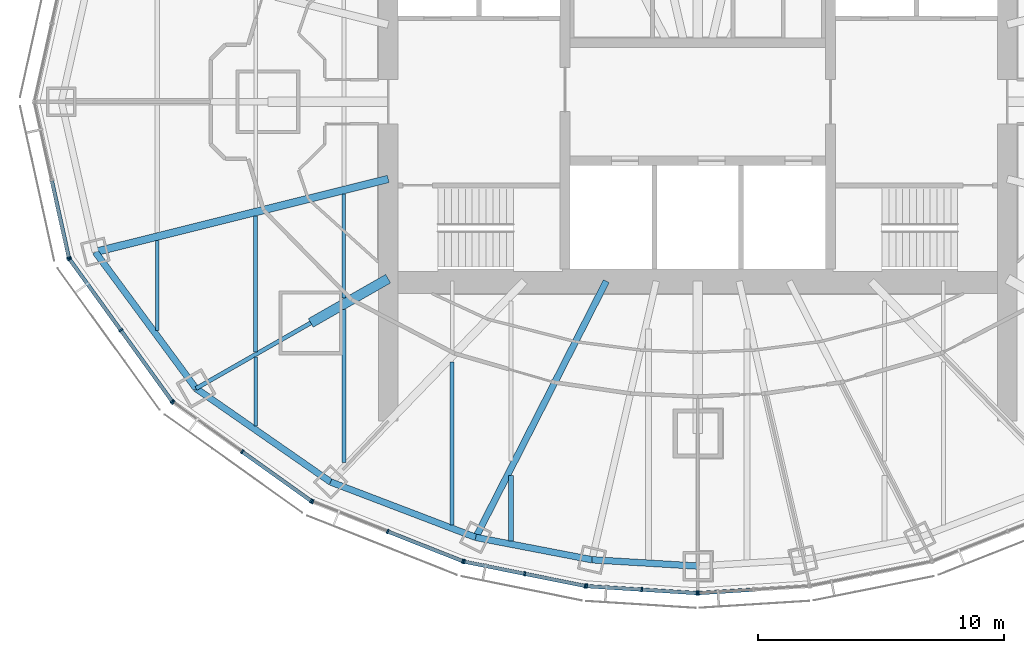
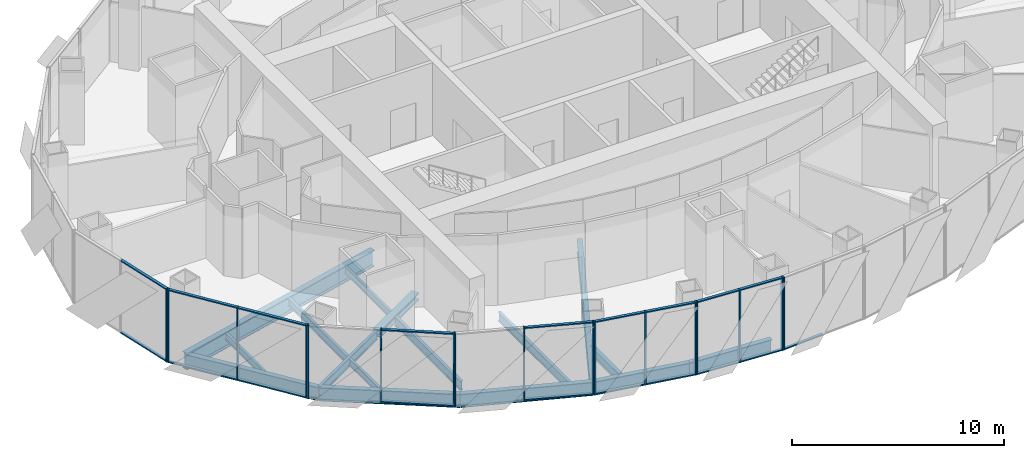
# One storey, part 2 of 17: 36 members, 16 beams, 7 elements without a shape of their own.
"""IFC4 building model written with IfcOpenShell, lengths in metres."""

from ifc_helpers import new_model, si_unit, direction, frame, origin, origin_2d, place, context, subcontext, project, spatial, rectangle, i_section, extrude, material, material_profile, profile_set, type_object, element, aggregate, save


model = new_model("IFC4")

# Units and contexts
model_context = context("Model", 3, precision=1e-05, world=origin(), true_north=direction((0.0, 1.0)))
body_context = subcontext(model_context, "Body", "Model", "MODEL_VIEW")
ifc_project = project(units=[si_unit("LENGTHUNIT", "METRE"), si_unit("AREAUNIT", "SQUARE_METRE"), si_unit("VOLUMEUNIT", "CUBIC_METRE"), si_unit("PLANEANGLEUNIT", "RADIAN"), si_unit("MASSUNIT", "GRAM", prefix="KILO")], contexts=[model_context])

# Site, building, storey
site_placement = place(None, origin())
site = spatial("IfcSite", under=ifc_project, at=site_placement, CompositionType="ELEMENT")
building_placement = place(site_placement, origin())
building = spatial("IfcBuilding", under=site, at=building_placement, Name="Lantaw Convention Tower", CompositionType="ELEMENT")
storey_placement = place(building_placement, frame((0.0, 0.0, 220.0)))
storey = spatial("IfcBuildingStorey", under=building, at=storey_placement, Name="L51", CompositionType="ELEMENT", Elevation=220.0)

# Beams
ifc_material_1 = material(Name="Steel ASTM A992", Category="steel")
ifc_material_profile_1 = material_profile(ifc_material_1, i_section(OverallWidth=0.2666015625, OverallDepth=0.76953125, WebThickness=0.015625, FlangeThickness=0.025390625, FilletRadius=0.0126953125, at=origin_2d()), Name="W30X132")
ifc_profile_set_1 = profile_set([ifc_material_profile_1], Name="Steel ASTM A992")
beam_type_1 = type_object("IfcBeamType", Name="Beam E W30X132", PredefinedType="SPANDREL", material=ifc_profile_set_1)
beam_1_placement = place(storey_placement, frame((-24.52197265625, -6.114013671875, -0.534912109375), z_axis=(0.593639188853, -0.804731329984, 0.0), x_axis=(0.804731329984, 0.593639188853, 0.0)))
element("IfcBeam", 1, at=beam_1_placement, inside=storey, type_object=beam_type_1, Name="Edge beam 14", PredefinedType="SPANDREL", context=body_context, shape_type="SweptSolid", body=[
    extrude(i_section(OverallWidth=0.2666015625, OverallDepth=0.76953125, WebThickness=0.015625, FlangeThickness=0.025390625, FilletRadius=0.0126953125, at=origin_2d()), origin(), (0.0, 0.0, 1.0), 6.904541015625),
])
beam_2_placement = place(storey_placement, frame((-20.423095703125, -11.67041015625, -0.534912109375), z_axis=(0.82135329406, -0.570419815869, 0.0), x_axis=(0.570419815869, 0.82135329406, 0.0)))
element("IfcBeam", 2, at=beam_2_placement, inside=storey, type_object=beam_type_1, Name="Edge beam 15", PredefinedType="SPANDREL", context=body_context, shape_type="SweptSolid", body=[
    extrude(i_section(OverallWidth=0.2666015625, OverallDepth=0.76953125, WebThickness=0.015625, FlangeThickness=0.025390625, FilletRadius=0.0126953125, at=origin_2d()), origin(), (0.0, 0.0, 1.0), 6.67041015625),
])
beam_3_placement = place(storey_placement, frame((-14.9443359375, -15.475341796875, -0.534912109375), z_axis=(0.934234988, -0.356658081637, 0.0), x_axis=(0.356658081637, 0.934234988, 0.0)))
element("IfcBeam", 3, at=beam_3_placement, inside=storey, type_object=beam_type_1, Name="Edge beam 16", PredefinedType="SPANDREL", context=body_context, shape_type="SweptSolid", body=[
    extrude(i_section(OverallWidth=0.2666015625, OverallDepth=0.76953125, WebThickness=0.015625, FlangeThickness=0.025390625, FilletRadius=0.0126953125, at=origin_2d()), origin(), (0.0, 0.0, 1.0), 6.32568359375),
])
beam_4_placement = place(storey_placement, frame((-9.03466796875, -17.7314453125, -0.534912109375), z_axis=(0.981972091702, -0.189025953556, 0.0), x_axis=(0.189025953556, 0.981972091702, 0.0)))
element("IfcBeam", 4, at=beam_4_placement, inside=storey, type_object=beam_type_1, Name="Edge beam 17", PredefinedType="SPANDREL", context=body_context, shape_type="SweptSolid", body=[
    extrude(i_section(OverallWidth=0.2666015625, OverallDepth=0.76953125, WebThickness=0.015625, FlangeThickness=0.025390625, FilletRadius=0.0126953125, at=origin_2d()), origin(), (0.0, 0.0, 1.0), 4.817626953125),
])
beam_5_placement = place(storey_placement, frame((-4.303955078125, -18.64208984375, -0.534912109375), z_axis=(0.998210730897, -0.059794119452, 0.0), x_axis=(0.059794119452, 0.998210730897, 0.0)))
element("IfcBeam", 5, at=beam_5_placement, inside=storey, type_object=beam_type_1, Name="Edge beam 18", PredefinedType="SPANDREL", context=body_context, shape_type="SweptSolid", body=[
    extrude(i_section(OverallWidth=0.2666015625, OverallDepth=0.76953125, WebThickness=0.015625, FlangeThickness=0.025390625, FilletRadius=0.0126953125, at=origin_2d()), origin(), (0.0, 0.0, 1.0), 4.311767578125),
])
ifc_material_profile_2 = material_profile(ifc_material_1, i_section(OverallWidth=0.1650390625, OverallDepth=0.52587890625, WebThickness=0.0087890625, FlangeThickness=0.011474609375, FilletRadius=0.0126953125, at=origin_2d()), Name="W21X44")
ifc_profile_set_2 = profile_set([ifc_material_profile_2], Name="Steel ASTM A992")
beam_type_2 = type_object("IfcBeamType", Name="Beam G W21X44", PredefinedType="BEAM", material=ifc_profile_set_2)
beam_6_placement = place(storey_placement, frame((-15.75, -9.0, -0.412841796875), z_axis=(-0.868237559289, -0.496148708192, 0.0), x_axis=(0.496148708192, -0.868237559289, 0.0)))
element("IfcBeam", 6, at=beam_6_placement, inside=storey, type_object=beam_type_2, Name="Floor girder on ray 15", PredefinedType="BEAM", context=body_context, shape_type="SweptSolid", body=[
    extrude(i_section(OverallWidth=0.1650390625, OverallDepth=0.52587890625, WebThickness=0.0087890625, FlangeThickness=0.011474609375, FilletRadius=0.0126953125, at=origin_2d()), origin(), (0.0, 0.0, 1.0), 5.38232421875),
])
ifc_material_profile_3 = material_profile(ifc_material_1, i_section(OverallWidth=0.2666015625, OverallDepth=0.7568359375, WebThickness=0.013916015625, FlangeThickness=0.019287109375, FilletRadius=0.0126953125, at=origin_2d()), Name="W30X108")
ifc_profile_set_3 = profile_set([ifc_material_profile_3], Name="Steel ASTM A992")
beam_type_3 = type_object("IfcBeamType", Name="Beam G W30X108", PredefinedType="BEAM", material=ifc_profile_set_3)
beam_7_placement = place(storey_placement, frame((-3.719482421875, -7.300048828125, -0.528564453125), z_axis=(-0.4539988787, -0.891002254845, 0.0), x_axis=(0.891002254845, -0.4539988787, 0.0)))
element("IfcBeam", 7, at=beam_7_placement, inside=storey, type_object=beam_type_3, Name="Floor girder on ray 17", PredefinedType="BEAM", context=body_context, shape_type="SweptSolid", body=[
    extrude(i_section(OverallWidth=0.2666015625, OverallDepth=0.7568359375, WebThickness=0.013916015625, FlangeThickness=0.019287109375, FilletRadius=0.0126953125, at=origin_2d()), origin(), (0.0, 0.0, 1.0), 11.70751953125),
])
ifc_material_profile_4 = material_profile(ifc_material_1, i_section(OverallWidth=0.307373046875, OverallDepth=0.9423828125, WebThickness=0.022216796875, FlangeThickness=0.039794921875, FilletRadius=0.0126953125, at=origin_2d()), Name="W36X232")
ifc_profile_set_4 = profile_set([ifc_material_profile_4], Name="Steel ASTM A992")
beam_type_4 = type_object("IfcBeamType", Name="Beam G W36X232", PredefinedType="BEAM", material=ifc_profile_set_4)
beam_8_placement = place(storey_placement, frame((-12.60009765625, -3.1416015625, -0.62109375), z_axis=(-0.970296589314, -0.241918434119, 0.0), x_axis=(0.241918434119, -0.970296589314, 0.0)))
element("IfcBeam", 8, at=beam_8_placement, inside=storey, type_object=beam_type_4, Name="Floor girder on ray 14", PredefinedType="BEAM", context=body_context, shape_type="SweptSolid", body=[
    extrude(i_section(OverallWidth=0.307373046875, OverallDepth=0.9423828125, WebThickness=0.022216796875, FlangeThickness=0.039794921875, FilletRadius=0.0126953125, at=origin_2d()), origin(), (0.0, 0.0, 1.0), 12.286865234375),
])
ifc_material_profile_5 = material_profile(ifc_material_1, i_section(OverallWidth=0.40380859375, OverallDepth=0.406494140625, WebThickness=0.027099609375, FlangeThickness=0.043701171875, FilletRadius=0.01513671875, at=origin_2d()), Name="W14X233")
ifc_profile_set_5 = profile_set([ifc_material_profile_5], Name="Steel ASTM A992")
beam_type_5 = type_object("IfcBeamType", Name="Beam GM W14X233", PredefinedType="BEAM", material=ifc_profile_set_5)
beam_9_placement = place(storey_placement, frame((-12.60009765625, -7.199951171875, -0.353271484375), z_axis=(-0.868230718294, -0.496160679428, 0.0), x_axis=(0.496160679428, -0.868230718294, 0.0)))
element("IfcBeam", 9, at=beam_9_placement, inside=storey, type_object=beam_type_5, Name="Core link beam on ray 15", PredefinedType="BEAM", context=body_context, shape_type="SweptSolid", body=[
    extrude(i_section(OverallWidth=0.40380859375, OverallDepth=0.406494140625, WebThickness=0.027099609375, FlangeThickness=0.043701171875, FilletRadius=0.01513671875, at=origin_2d()), origin(), (0.0, 0.0, 1.0), 3.6279296875),
])
ifc_material_profile_6 = material_profile(ifc_material_1, i_section(OverallWidth=0.140380859375, OverallDepth=0.40380859375, WebThickness=0.007080078125, FlangeThickness=0.01123046875, FilletRadius=0.01025390625, at=origin_2d()), Name="W16X31")
ifc_profile_set_6 = profile_set([ifc_material_profile_6], Name="Steel ASTM A992")
beam_type_6 = type_object("IfcBeamType", Name="Beam J W16X31", PredefinedType="JOIST", material=ifc_profile_set_6)
beam_10_placement = place(storey_placement, frame((-22.0, -9.30810546875, -0.35205078125), z_axis=(0.0, 1.0, 0.0), x_axis=(-1.0, 0.0, 0.0)))
element("IfcBeam", 10, at=beam_10_placement, inside=storey, type_object=beam_type_6, Name="Floor joist", PredefinedType="JOIST", context=body_context, shape_type="SweptSolid", body=[
    extrude(i_section(OverallWidth=0.140380859375, OverallDepth=0.40380859375, WebThickness=0.007080078125, FlangeThickness=0.01123046875, FilletRadius=0.01025390625, at=origin_2d()), origin(), (0.0, 0.0, 1.0), 3.66455078125),
])
beam_11_placement = place(storey_placement, frame((-18.0, -13.19091796875, -0.35205078125), z_axis=(0.0, 1.0, 0.0), x_axis=(-1.0, 0.0, 0.0)))
element("IfcBeam", 11, at=beam_11_placement, inside=storey, type_object=beam_type_6, Name="Floor joist", PredefinedType="JOIST", context=body_context, shape_type="SweptSolid", body=[
    extrude(i_section(OverallWidth=0.140380859375, OverallDepth=0.40380859375, WebThickness=0.007080078125, FlangeThickness=0.01123046875, FilletRadius=0.01025390625, at=origin_2d()), origin(), (0.0, 0.0, 1.0), 2.81005859375),
])
beam_12_placement = place(storey_placement, frame((-14.39990234375, -7.99609375, -0.35205078125), z_axis=(0.0, 1.0, 0.0), x_axis=(-1.0, 0.0, 0.0)))
element("IfcBeam", 12, at=beam_12_placement, inside=storey, type_object=beam_type_6, Name="Floor joist", PredefinedType="JOIST", context=body_context, shape_type="SweptSolid", body=[
    extrude(i_section(OverallWidth=0.140380859375, OverallDepth=0.40380859375, WebThickness=0.007080078125, FlangeThickness=0.01123046875, FilletRadius=0.01025390625, at=origin_2d()), origin(), (0.0, 0.0, 1.0), 4.247314453125),
])
ifc_material_profile_7 = material_profile(ifc_material_1, i_section(OverallWidth=0.15234375, OverallDepth=0.449462890625, WebThickness=0.007568359375, FlangeThickness=0.0107421875, FilletRadius=0.01025390625, at=origin_2d()), Name="W18X35")
ifc_profile_set_7 = profile_set([ifc_material_profile_7], Name="Steel ASTM A992")
beam_type_7 = type_object("IfcBeamType", Name="Beam J W18X35", PredefinedType="JOIST", material=ifc_profile_set_7)
beam_13_placement = place(storey_placement, frame((-18.0, -10.190673828125, -0.374755859375), z_axis=(0.0, 1.0, 0.0), x_axis=(-1.0, 0.0, 0.0)))
element("IfcBeam", 13, at=beam_13_placement, inside=storey, type_object=beam_type_7, Name="Floor joist", PredefinedType="JOIST", context=body_context, shape_type="SweptSolid", body=[
    extrude(i_section(OverallWidth=0.15234375, OverallDepth=0.449462890625, WebThickness=0.007568359375, FlangeThickness=0.0107421875, FilletRadius=0.01025390625, at=origin_2d()), origin(), (0.0, 0.0, 1.0), 5.54443359375),
])
ifc_material_profile_8 = material_profile(ifc_material_1, i_section(OverallWidth=0.1650390625, OverallDepth=0.52587890625, WebThickness=0.0087890625, FlangeThickness=0.011474609375, FilletRadius=0.0126953125, at=origin_2d()), Name="W21X44")
ifc_profile_set_8 = profile_set([ifc_material_profile_8], Name="Steel ASTM A992")
beam_type_8 = type_object("IfcBeamType", Name="Beam J W21X44", PredefinedType="JOIST", material=ifc_profile_set_8)
beam_14_placement = place(storey_placement, frame((-14.39990234375, -14.67578125, -0.412841796875), z_axis=(0.0, 1.0, 0.0), x_axis=(-1.0, 0.0, 0.0)))
element("IfcBeam", 14, at=beam_14_placement, inside=storey, type_object=beam_type_8, Name="Floor joist", PredefinedType="JOIST", context=body_context, shape_type="SweptSolid", body=[
    extrude(i_section(OverallWidth=0.1650390625, OverallDepth=0.52587890625, WebThickness=0.0087890625, FlangeThickness=0.011474609375, FilletRadius=0.0126953125, at=origin_2d()), origin(), (0.0, 0.0, 1.0), 6.214599609375),
])
beam_15_placement = place(storey_placement, frame((-10.0, -17.22021484375, -0.412841796875), z_axis=(0.0, 1.0, 0.0), x_axis=(-1.0, 0.0, 0.0)))
element("IfcBeam", 15, at=beam_15_placement, inside=storey, type_object=beam_type_8, Name="Floor joist", PredefinedType="JOIST", context=body_context, shape_type="SweptSolid", body=[
    extrude(i_section(OverallWidth=0.1650390625, OverallDepth=0.52587890625, WebThickness=0.0087890625, FlangeThickness=0.011474609375, FilletRadius=0.0126953125, at=origin_2d()), origin(), (0.0, 0.0, 1.0), 6.629150390625),
])
ifc_material_profile_9 = material_profile(ifc_material_1, i_section(OverallWidth=0.2099609375, OverallDepth=0.535888671875, WebThickness=0.010986328125, FlangeThickness=0.017333984375, FilletRadius=0.012939453125, at=origin_2d()), Name="W21X68")
ifc_profile_set_9 = profile_set([ifc_material_profile_9], Name="Steel ASTM A992")
beam_type_9 = type_object("IfcBeamType", Name="Beam J W21X68", PredefinedType="JOIST", material=ifc_profile_set_9)
beam_16_placement = place(storey_placement, frame((-7.60009765625, -17.871826171875, -0.41796875), z_axis=(0.0, 1.0, 0.0), x_axis=(-1.0, 0.0, 0.0)))
element("IfcBeam", 16, at=beam_16_placement, inside=storey, type_object=beam_type_9, Name="Floor joist", PredefinedType="JOIST", context=body_context, shape_type="SweptSolid", body=[
    extrude(i_section(OverallWidth=0.2099609375, OverallDepth=0.535888671875, WebThickness=0.010986328125, FlangeThickness=0.017333984375, FilletRadius=0.012939453125, at=origin_2d()), origin(), (0.0, 0.0, 1.0), 2.662353515625),
])

# Curtain wall, member
ifc_material_2 = material(Name="Aluminium framed curtain wall", Category="aluminium")
curtain_wall_type = type_object("IfcCurtainWallType", Name="Office curtain wall high rise, pale aluminium", PredefinedType="USERDEFINED", material=ifc_material_2)
curtain_wall_1_placement = place(storey_placement, origin())
curtain_wall_1 = element("IfcCurtainWall", 17, at=curtain_wall_1_placement, inside=storey, type_object=curtain_wall_type, Name="Office curtain wall high rise, pale aluminium L51", ObjectType="UNITISED CURTAIN WALL", PredefinedType="USERDEFINED")
ifc_material_3 = material(Name="Aluminium 6063-T6", Category="aluminium")
ifc_material_profile_10 = material_profile(ifc_material_3, rectangle(XDim=0.179931640625, YDim=0.06494140625, at=origin_2d()), Name="CW-O2 mullion 65x180")
ifc_profile_set_10 = profile_set([ifc_material_profile_10], Name="Aluminium 6063-T6")
member_type_1 = type_object("IfcMemberType", Name="CW-O2 mullion 65x180", PredefinedType="MULLION", material=ifc_profile_set_10)
member_1_placement = place(storey_placement, frame((-25.596435546875, -6.348388671875, -0.14990234375), z_axis=(0.0, 0.0, 1.0), x_axis=(0.976417396437, 0.215891333626, 0.0)))
member_1 = element("IfcMember", 18, at=member_1_placement, type_object=member_type_1, Name="CW-O2 mullion 3", PredefinedType="MULLION", context=body_context, shape_type="SweptSolid", body=[
    extrude(rectangle(XDim=0.179931640625, YDim=0.06494140625, at=origin_2d()), origin(), (0.0, 0.0, 1.0), 4.199951171875),
])

# Curtain wall, members
curtain_wall_2_placement = place(storey_placement, origin())
curtain_wall_2 = element("IfcCurtainWall", 19, at=curtain_wall_2_placement, inside=storey, type_object=curtain_wall_type, Name="Office curtain wall high rise, pale aluminium L51", ObjectType="UNITISED CURTAIN WALL", PredefinedType="USERDEFINED")
member_2_placement = place(storey_placement, frame((-25.5703125, -6.406494140625, -0.14990234375), z_axis=(0.0, 0.0, 1.0), x_axis=(0.810919559405, 0.585157643865, 0.0)))
member_2 = element("IfcMember", 20, at=member_2_placement, type_object=member_type_1, Name="CW-O2 mullion 1", PredefinedType="MULLION", context=body_context, shape_type="SweptSolid", body=[
    extrude(rectangle(XDim=0.179931640625, YDim=0.06494140625, at=origin_2d()), origin(), (0.0, 0.0, 1.0), 4.199951171875),
])
member_3_placement = place(storey_placement, frame((-23.483642578125, -9.298095703125, -0.14990234375), z_axis=(0.0, 0.0, 1.0), x_axis=(0.810919559405, 0.585157643865, 0.0)))
member_3 = element("IfcMember", 21, at=member_3_placement, type_object=member_type_1, Name="CW-O2 mullion 2", PredefinedType="MULLION", context=body_context, shape_type="SweptSolid", body=[
    extrude(rectangle(XDim=0.179931640625, YDim=0.06494140625, at=origin_2d()), origin(), (0.0, 0.0, 1.0), 4.199951171875),
])
member_4_placement = place(storey_placement, frame((-21.397216796875, -12.189697265625, -0.14990234375), z_axis=(0.0, 0.0, 1.0), x_axis=(0.810919559405, 0.585157643865, 0.0)))
member_4 = element("IfcMember", 22, at=member_4_placement, type_object=member_type_1, Name="CW-O2 mullion 3", PredefinedType="MULLION", context=body_context, shape_type="SweptSolid", body=[
    extrude(rectangle(XDim=0.179931640625, YDim=0.06494140625, at=origin_2d()), origin(), (0.0, 0.0, 1.0), 4.199951171875),
])

curtain_wall_3_placement = place(storey_placement, origin())
curtain_wall_3 = element("IfcCurtainWall", 23, at=curtain_wall_3_placement, inside=storey, type_object=curtain_wall_type, Name="Office curtain wall high rise, pale aluminium L51", ObjectType="UNITISED CURTAIN WALL", PredefinedType="USERDEFINED")
member_5_placement = place(storey_placement, frame((-21.3515625, -12.23486328125, -0.14990234375), z_axis=(0.0, 0.0, 1.0), x_axis=(0.581323487281, 0.813672540482, 0.0)))
member_5 = element("IfcMember", 24, at=member_5_placement, type_object=member_type_1, Name="CW-O2 mullion 1", PredefinedType="MULLION", context=body_context, shape_type="SweptSolid", body=[
    extrude(rectangle(XDim=0.179931640625, YDim=0.06494140625, at=origin_2d()), origin(), (0.0, 0.0, 1.0), 4.199951171875),
])
member_6_placement = place(storey_placement, frame((-18.543212890625, -14.241455078125, -0.14990234375), z_axis=(0.0, 0.0, 1.0), x_axis=(0.581323487281, 0.813672540482, 0.0)))
member_6 = element("IfcMember", 25, at=member_6_placement, type_object=member_type_1, Name="CW-O2 mullion 2", PredefinedType="MULLION", context=body_context, shape_type="SweptSolid", body=[
    extrude(rectangle(XDim=0.179931640625, YDim=0.06494140625, at=origin_2d()), origin(), (0.0, 0.0, 1.0), 4.199951171875),
])
member_7_placement = place(storey_placement, frame((-15.73486328125, -16.247802734375, -0.14990234375), z_axis=(0.0, 0.0, 1.0), x_axis=(0.581323487281, 0.813672540482, 0.0)))
member_7 = element("IfcMember", 26, at=member_7_placement, type_object=member_type_1, Name="CW-O2 mullion 3", PredefinedType="MULLION", context=body_context, shape_type="SweptSolid", body=[
    extrude(rectangle(XDim=0.179931640625, YDim=0.06494140625, at=origin_2d()), origin(), (0.0, 0.0, 1.0), 4.199951171875),
])

curtain_wall_4_placement = place(storey_placement, origin())
curtain_wall_4 = element("IfcCurtainWall", 27, at=curtain_wall_4_placement, inside=storey, type_object=curtain_wall_type, Name="Office curtain wall high rise, pale aluminium L51", ObjectType="UNITISED CURTAIN WALL", PredefinedType="USERDEFINED")
member_8_placement = place(storey_placement, frame((-15.67822265625, -16.278564453125, -0.14990234375), z_axis=(0.0, 0.0, 1.0), x_axis=(0.368162315252, 0.929761533743, 0.0)))
member_8 = element("IfcMember", 28, at=member_8_placement, type_object=member_type_1, Name="CW-O2 mullion 1", PredefinedType="MULLION", context=body_context, shape_type="SweptSolid", body=[
    extrude(rectangle(XDim=0.179931640625, YDim=0.06494140625, at=origin_2d()), origin(), (0.0, 0.0, 1.0), 4.199951171875),
])
member_9_placement = place(storey_placement, frame((-12.621337890625, -17.4892578125, -0.14990234375), z_axis=(0.0, 0.0, 1.0), x_axis=(0.368162315252, 0.929761533743, 0.0)))
member_9 = element("IfcMember", 29, at=member_9_placement, type_object=member_type_1, Name="CW-O2 mullion 2", PredefinedType="MULLION", context=body_context, shape_type="SweptSolid", body=[
    extrude(rectangle(XDim=0.179931640625, YDim=0.06494140625, at=origin_2d()), origin(), (0.0, 0.0, 1.0), 4.199951171875),
])
member_10_placement = place(storey_placement, frame((-9.564208984375, -18.69970703125, -0.14990234375), z_axis=(0.0, 0.0, 1.0), x_axis=(0.368162315252, 0.929761533743, 0.0)))
member_10 = element("IfcMember", 30, at=member_10_placement, type_object=member_type_1, Name="CW-O2 mullion 3", PredefinedType="MULLION", context=body_context, shape_type="SweptSolid", body=[
    extrude(rectangle(XDim=0.179931640625, YDim=0.06494140625, at=origin_2d()), origin(), (0.0, 0.0, 1.0), 4.199951171875),
])

curtain_wall_5_placement = place(storey_placement, origin())
curtain_wall_5 = element("IfcCurtainWall", 31, at=curtain_wall_5_placement, inside=storey, type_object=curtain_wall_type, Name="Office curtain wall high rise, pale aluminium L51", ObjectType="UNITISED CURTAIN WALL", PredefinedType="USERDEFINED")
member_11_placement = place(storey_placement, frame((-9.502197265625, -18.718017578125, -0.14990234375), z_axis=(0.0, 0.0, 1.0), x_axis=(0.197183095987, 0.980366679695, 0.0)))
member_11 = element("IfcMember", 32, at=member_11_placement, type_object=member_type_1, Name="CW-O2 mullion 1", PredefinedType="MULLION", context=body_context, shape_type="SweptSolid", body=[
    extrude(rectangle(XDim=0.179931640625, YDim=0.06494140625, at=origin_2d()), origin(), (0.0, 0.0, 1.0), 4.199951171875),
])
member_12_placement = place(storey_placement, frame((-7.042724609375, -19.212646484375, -0.14990234375), z_axis=(0.0, 0.0, 1.0), x_axis=(0.197183095987, 0.980366679695, 0.0)))
member_12 = element("IfcMember", 33, at=member_12_placement, type_object=member_type_1, Name="CW-O2 mullion 2", PredefinedType="MULLION", context=body_context, shape_type="SweptSolid", body=[
    extrude(rectangle(XDim=0.179931640625, YDim=0.06494140625, at=origin_2d()), origin(), (0.0, 0.0, 1.0), 4.199951171875),
])
member_13_placement = place(storey_placement, frame((-4.583251953125, -19.70751953125, -0.14990234375), z_axis=(0.0, 0.0, 1.0), x_axis=(0.197183095987, 0.980366679695, 0.0)))
member_13 = element("IfcMember", 34, at=member_13_placement, type_object=member_type_1, Name="CW-O2 mullion 3", PredefinedType="MULLION", context=body_context, shape_type="SweptSolid", body=[
    extrude(rectangle(XDim=0.179931640625, YDim=0.06494140625, at=origin_2d()), origin(), (0.0, 0.0, 1.0), 4.199951171875),
])

curtain_wall_6_placement = place(storey_placement, origin())
curtain_wall_6 = element("IfcCurtainWall", 35, at=curtain_wall_6_placement, inside=storey, type_object=curtain_wall_type, Name="Office curtain wall high rise, pale aluminium L51", ObjectType="UNITISED CURTAIN WALL", PredefinedType="USERDEFINED")
member_14_placement = place(storey_placement, frame((-4.518798828125, -19.7158203125, -0.14990234375), z_axis=(0.0, 0.0, 1.0), x_axis=(0.062757983884, 0.998028774865, 0.0)))
member_14 = element("IfcMember", 36, at=member_14_placement, type_object=member_type_1, Name="CW-O2 mullion 1", PredefinedType="MULLION", context=body_context, shape_type="SweptSolid", body=[
    extrude(rectangle(XDim=0.179931640625, YDim=0.06494140625, at=origin_2d()), origin(), (0.0, 0.0, 1.0), 4.199951171875),
])
member_15_placement = place(storey_placement, frame((-2.275634765625, -19.85693359375, -0.14990234375), z_axis=(0.0, 0.0, 1.0), x_axis=(0.062757983884, 0.998028774865, 0.0)))
member_15 = element("IfcMember", 37, at=member_15_placement, type_object=member_type_1, Name="CW-O2 mullion 2", PredefinedType="MULLION", context=body_context, shape_type="SweptSolid", body=[
    extrude(rectangle(XDim=0.179931640625, YDim=0.06494140625, at=origin_2d()), origin(), (0.0, 0.0, 1.0), 4.199951171875),
])
member_16_placement = place(storey_placement, frame((-0.032470703125, -19.998046875, -0.14990234375), z_axis=(0.0, 0.0, 1.0), x_axis=(0.062757983884, 0.998028774865, 0.0)))
member_16 = element("IfcMember", 38, at=member_16_placement, type_object=member_type_1, Name="CW-O2 mullion 3", PredefinedType="MULLION", context=body_context, shape_type="SweptSolid", body=[
    extrude(rectangle(XDim=0.179931640625, YDim=0.06494140625, at=origin_2d()), origin(), (0.0, 0.0, 1.0), 4.199951171875),
])

# Curtain wall, member
curtain_wall_7_placement = place(storey_placement, origin())
curtain_wall_7 = element("IfcCurtainWall", 39, at=curtain_wall_7_placement, inside=storey, type_object=curtain_wall_type, Name="Office curtain wall high rise, pale aluminium L51", ObjectType="UNITISED CURTAIN WALL", PredefinedType="USERDEFINED")
member_17_placement = place(storey_placement, frame((0.032470703125, -19.998046875, -0.14990234375), z_axis=(0.0, 0.0, 1.0), x_axis=(-0.062757983884, 0.998028774865, 0.0)))
member_17 = element("IfcMember", 40, at=member_17_placement, type_object=member_type_1, Name="CW-O2 mullion 1", PredefinedType="MULLION", context=body_context, shape_type="SweptSolid", body=[
    extrude(rectangle(XDim=0.179931640625, YDim=0.06494140625, at=origin_2d()), origin(), (0.0, 0.0, 1.0), 4.199951171875),
])

# Member
ifc_material_profile_11 = material_profile(ifc_material_3, rectangle(XDim=0.14990234375, YDim=0.06494140625, at=origin_2d()), Name="CW-O2 transom 65x150")
ifc_profile_set_11 = profile_set([ifc_material_profile_11], Name="Aluminium 6063-T6")
member_type_2 = type_object("IfcMemberType", Name="CW-O2 transom 65x150", PredefinedType="USERDEFINED", material=ifc_profile_set_11)
member_18_placement = place(storey_placement, frame((-26.28759765625, -3.2216796875, -0.117431640625), z_axis=(0.215894607042, -0.976416672661, 0.0), x_axis=(0.976416672661, 0.215894607042, 0.0)))
member_18 = element("IfcMember", 41, at=member_18_placement, type_object=member_type_2, Name="CW-O2 transom 2.1", ObjectType="TRANSOM", PredefinedType="USERDEFINED", context=body_context, shape_type="SweptSolid", body=[
    extrude(rectangle(XDim=0.14990234375, YDim=0.06494140625, at=origin_2d()), origin(), (0.0, 0.0, 1.0), 3.169677734375),
])

member_19_placement = place(storey_placement, frame((-26.28759765625, -3.2216796875, 4.017578125), z_axis=(0.215894607042, -0.976416672661, 0.0), x_axis=(0.976416672661, 0.215894607042, 0.0)))
member_19 = element("IfcMember", 42, at=member_19_placement, type_object=member_type_2, Name="CW-O2 transom 2.2", ObjectType="TRANSOM", PredefinedType="USERDEFINED", context=body_context, shape_type="SweptSolid", body=[
    extrude(rectangle(XDim=0.14990234375, YDim=0.06494140625, at=origin_2d()), origin(), (0.0, 0.0, 1.0), 3.169677734375),
])

aggregate(curtain_wall_1, [member_1, member_18, member_19])

member_20_placement = place(storey_placement, frame((-25.55126953125, -6.432861328125, -0.117431640625), z_axis=(0.585169685931, -0.810910869743, 0.0), x_axis=(0.810910869743, 0.585169685931, 0.0)))
member_20 = element("IfcMember", 43, at=member_20_placement, type_object=member_type_2, Name="CW-O2 transom 1.1", ObjectType="TRANSOM", PredefinedType="USERDEFINED", context=body_context, shape_type="SweptSolid", body=[
    extrude(rectangle(XDim=0.14990234375, YDim=0.06494140625, at=origin_2d()), origin(), (0.0, 0.0, 1.0), 3.500732421875),
])

member_21_placement = place(storey_placement, frame((-25.55126953125, -6.432861328125, 4.017578125), z_axis=(0.585169685931, -0.810910869743, 0.0), x_axis=(0.810910869743, 0.585169685931, 0.0)))
member_21 = element("IfcMember", 44, at=member_21_placement, type_object=member_type_2, Name="CW-O2 transom 1.2", ObjectType="TRANSOM", PredefinedType="USERDEFINED", context=body_context, shape_type="SweptSolid", body=[
    extrude(rectangle(XDim=0.14990234375, YDim=0.06494140625, at=origin_2d()), origin(), (0.0, 0.0, 1.0), 3.500732421875),
])

member_22_placement = place(storey_placement, frame((-23.464599609375, -9.324462890625, -0.117431640625), z_axis=(0.585123825205, -0.810943961798, 0.0), x_axis=(0.810943961798, 0.585123825205, 0.0)))
member_22 = element("IfcMember", 45, at=member_22_placement, type_object=member_type_2, Name="CW-O2 transom 2.1", ObjectType="TRANSOM", PredefinedType="USERDEFINED", context=body_context, shape_type="SweptSolid", body=[
    extrude(rectangle(XDim=0.14990234375, YDim=0.06494140625, at=origin_2d()), origin(), (0.0, 0.0, 1.0), 3.500732421875),
])

member_23_placement = place(storey_placement, frame((-23.464599609375, -9.324462890625, 4.017578125), z_axis=(0.585123825205, -0.810943961798, 0.0), x_axis=(0.810943961798, 0.585123825205, 0.0)))
member_23 = element("IfcMember", 46, at=member_23_placement, type_object=member_type_2, Name="CW-O2 transom 2.2", ObjectType="TRANSOM", PredefinedType="USERDEFINED", context=body_context, shape_type="SweptSolid", body=[
    extrude(rectangle(XDim=0.14990234375, YDim=0.06494140625, at=origin_2d()), origin(), (0.0, 0.0, 1.0), 3.500732421875),
])

aggregate(curtain_wall_2, [member_2, member_3, member_4, member_20, member_21, member_22, member_23])

member_24_placement = place(storey_placement, frame((-18.516845703125, -14.26025390625, -0.117431640625), z_axis=(0.813645780821, -0.581360940683, 0.0), x_axis=(0.581360940683, 0.813645780821, 0.0)))
member_24 = element("IfcMember", 47, at=member_24_placement, type_object=member_type_2, Name="CW-O2 transom 2.1", ObjectType="TRANSOM", PredefinedType="USERDEFINED", context=body_context, shape_type="SweptSolid", body=[
    extrude(rectangle(XDim=0.14990234375, YDim=0.06494140625, at=origin_2d()), origin(), (0.0, 0.0, 1.0), 3.386474609375),
])

member_25_placement = place(storey_placement, frame((-18.516845703125, -14.26025390625, 4.017578125), z_axis=(0.813645780821, -0.581360940683, 0.0), x_axis=(0.581360940683, 0.813645780821, 0.0)))
member_25 = element("IfcMember", 48, at=member_25_placement, type_object=member_type_2, Name="CW-O2 transom 2.2", ObjectType="TRANSOM", PredefinedType="USERDEFINED", context=body_context, shape_type="SweptSolid", body=[
    extrude(rectangle(XDim=0.14990234375, YDim=0.06494140625, at=origin_2d()), origin(), (0.0, 0.0, 1.0), 3.386474609375),
])

aggregate(curtain_wall_3, [member_5, member_6, member_7, member_24, member_25])

member_26_placement = place(storey_placement, frame((-12.591064453125, -17.501220703125, -0.117431640625), z_axis=(0.929766642946, -0.368149412149, 0.0), x_axis=(0.368149412149, 0.929766642946, 0.0)))
member_26 = element("IfcMember", 49, at=member_26_placement, type_object=member_type_2, Name="CW-O2 transom 2.1", ObjectType="TRANSOM", PredefinedType="USERDEFINED", context=body_context, shape_type="SweptSolid", body=[
    extrude(rectangle(XDim=0.14990234375, YDim=0.06494140625, at=origin_2d()), origin(), (0.0, 0.0, 1.0), 3.222900390625),
])

member_27_placement = place(storey_placement, frame((-12.591064453125, -17.501220703125, 4.017578125), z_axis=(0.929766642946, -0.368149412149, 0.0), x_axis=(0.368149412149, 0.929766642946, 0.0)))
member_27 = element("IfcMember", 50, at=member_27_placement, type_object=member_type_2, Name="CW-O2 transom 2.2", ObjectType="TRANSOM", PredefinedType="USERDEFINED", context=body_context, shape_type="SweptSolid", body=[
    extrude(rectangle(XDim=0.14990234375, YDim=0.06494140625, at=origin_2d()), origin(), (0.0, 0.0, 1.0), 3.222900390625),
])

aggregate(curtain_wall_4, [member_8, member_9, member_10, member_26, member_27])

member_28_placement = place(storey_placement, frame((-9.47021484375, -18.724365234375, -0.117431640625), z_axis=(0.98036104319, -0.197211117829, 0.0), x_axis=(0.197211117829, 0.98036104319, 0.0)))
member_28 = element("IfcMember", 51, at=member_28_placement, type_object=member_type_2, Name="CW-O2 transom 1.1", ObjectType="TRANSOM", PredefinedType="USERDEFINED", context=body_context, shape_type="SweptSolid", body=[
    extrude(rectangle(XDim=0.14990234375, YDim=0.06494140625, at=origin_2d()), origin(), (0.0, 0.0, 1.0), 2.44384765625),
])

member_29_placement = place(storey_placement, frame((-9.47021484375, -18.724365234375, 4.017578125), z_axis=(0.98036104319, -0.197211117829, 0.0), x_axis=(0.197211117829, 0.98036104319, 0.0)))
member_29 = element("IfcMember", 52, at=member_29_placement, type_object=member_type_2, Name="CW-O2 transom 1.2", ObjectType="TRANSOM", PredefinedType="USERDEFINED", context=body_context, shape_type="SweptSolid", body=[
    extrude(rectangle(XDim=0.14990234375, YDim=0.06494140625, at=origin_2d()), origin(), (0.0, 0.0, 1.0), 2.44384765625),
])

member_30_placement = place(storey_placement, frame((-7.0107421875, -19.21923828125, -0.117431640625), z_axis=(0.980380354178, -0.197115096178, 0.0), x_axis=(0.197115096178, 0.980380354178, 0.0)))
member_30 = element("IfcMember", 53, at=member_30_placement, type_object=member_type_2, Name="CW-O2 transom 2.1", ObjectType="TRANSOM", PredefinedType="USERDEFINED", context=body_context, shape_type="SweptSolid", body=[
    extrude(rectangle(XDim=0.14990234375, YDim=0.06494140625, at=origin_2d()), origin(), (0.0, 0.0, 1.0), 2.443603515625),
])

member_31_placement = place(storey_placement, frame((-7.0107421875, -19.21923828125, 4.017578125), z_axis=(0.980380354178, -0.197115096178, 0.0), x_axis=(0.197115096178, 0.980380354178, 0.0)))
member_31 = element("IfcMember", 54, at=member_31_placement, type_object=member_type_2, Name="CW-O2 transom 2.2", ObjectType="TRANSOM", PredefinedType="USERDEFINED", context=body_context, shape_type="SweptSolid", body=[
    extrude(rectangle(XDim=0.14990234375, YDim=0.06494140625, at=origin_2d()), origin(), (0.0, 0.0, 1.0), 2.443603515625),
])

aggregate(curtain_wall_5, [member_11, member_12, member_13, member_28, member_29, member_30, member_31])

member_32_placement = place(storey_placement, frame((-4.486328125, -19.7177734375, -0.117431640625), z_axis=(0.998021991509, -0.062865765437, 0.0), x_axis=(0.062865765437, 0.998021991509, 0.0)))
member_32 = element("IfcMember", 55, at=member_32_placement, type_object=member_type_2, Name="CW-O2 transom 1.1", ObjectType="TRANSOM", PredefinedType="USERDEFINED", context=body_context, shape_type="SweptSolid", body=[
    extrude(rectangle(XDim=0.14990234375, YDim=0.06494140625, at=origin_2d()), origin(), (0.0, 0.0, 1.0), 2.1826171875),
])

member_33_placement = place(storey_placement, frame((-4.486328125, -19.7177734375, 4.017578125), z_axis=(0.998021991509, -0.062865765437, 0.0), x_axis=(0.062865765437, 0.998021991509, 0.0)))
member_33 = element("IfcMember", 56, at=member_33_placement, type_object=member_type_2, Name="CW-O2 transom 1.2", ObjectType="TRANSOM", PredefinedType="USERDEFINED", context=body_context, shape_type="SweptSolid", body=[
    extrude(rectangle(XDim=0.14990234375, YDim=0.06494140625, at=origin_2d()), origin(), (0.0, 0.0, 1.0), 2.1826171875),
])

member_34_placement = place(storey_placement, frame((-2.2431640625, -19.85888671875, -0.117431640625), z_axis=(0.998029003644, -0.062754345555, 0.0), x_axis=(0.062754345555, 0.998029003644, 0.0)))
member_34 = element("IfcMember", 57, at=member_34_placement, type_object=member_type_2, Name="CW-O2 transom 2.1", ObjectType="TRANSOM", PredefinedType="USERDEFINED", context=body_context, shape_type="SweptSolid", body=[
    extrude(rectangle(XDim=0.14990234375, YDim=0.06494140625, at=origin_2d()), origin(), (0.0, 0.0, 1.0), 2.1826171875),
])

member_35_placement = place(storey_placement, frame((-2.2431640625, -19.85888671875, 4.017578125), z_axis=(0.998029003644, -0.062754345555, 0.0), x_axis=(0.062754345555, 0.998029003644, 0.0)))
member_35 = element("IfcMember", 58, at=member_35_placement, type_object=member_type_2, Name="CW-O2 transom 2.2", ObjectType="TRANSOM", PredefinedType="USERDEFINED", context=body_context, shape_type="SweptSolid", body=[
    extrude(rectangle(XDim=0.14990234375, YDim=0.06494140625, at=origin_2d()), origin(), (0.0, 0.0, 1.0), 2.1826171875),
])

aggregate(curtain_wall_6, [member_14, member_15, member_16, member_32, member_33, member_34, member_35])

member_36_placement = place(storey_placement, frame((0.06494140625, -19.995849609375, -0.117431640625), z_axis=(0.998029003644, 0.062754345555, 0.0), x_axis=(-0.062754345555, 0.998029003644, 0.0)))
member_36 = element("IfcMember", 59, at=member_36_placement, type_object=member_type_2, Name="CW-O2 transom 1.1", ObjectType="TRANSOM", PredefinedType="USERDEFINED", context=body_context, shape_type="SweptSolid", body=[
    extrude(rectangle(XDim=0.14990234375, YDim=0.06494140625, at=origin_2d()), origin(), (0.0, 0.0, 1.0), 2.1826171875),
])

aggregate(curtain_wall_7, [member_17, member_36])

save(model, "model.ifc")
